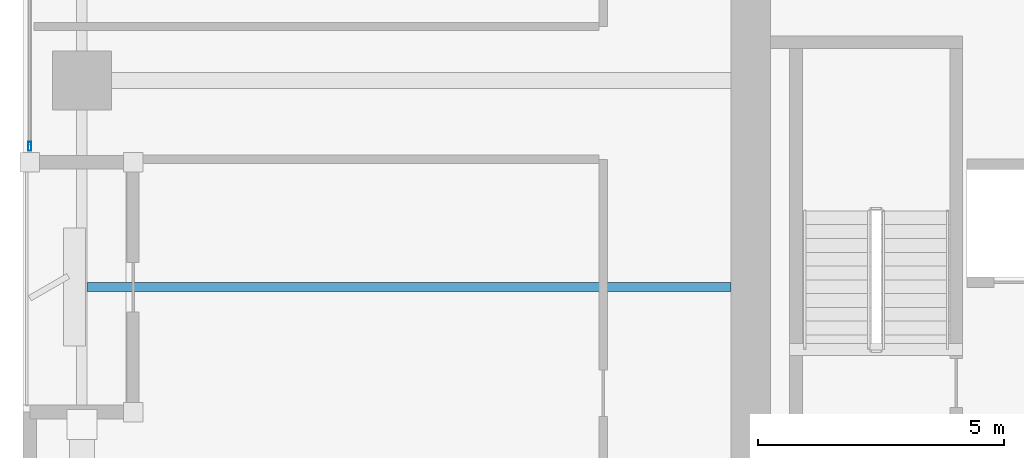
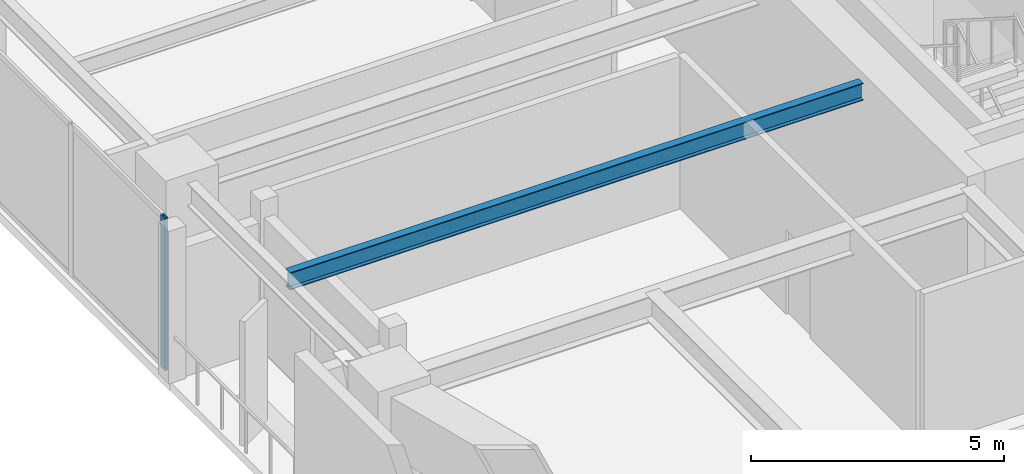
# One storey, part 2 of 30: 1 beam, 1 member, 1 element without a shape of its own.
"""IFC4 building model written with IfcOpenShell, lengths in metres."""

from ifc_helpers import new_model, si_unit, direction, frame, origin, origin_2d, place, context, subcontext, project, spatial, hollow_rectangle, i_section, extrude, material, layer, layer_set, material_profile, profile_set, type_object, element, aggregate, save


model = new_model("IFC4")

# Units and contexts
model_context = context("Model", 3, precision=1e-05, world=origin(), true_north=direction((0.0, 1.0)))
body_context = subcontext(model_context, "Body", "Model", "MODEL_VIEW")
ifc_project = project(units=[si_unit("LENGTHUNIT", "METRE"), si_unit("AREAUNIT", "SQUARE_METRE"), si_unit("VOLUMEUNIT", "CUBIC_METRE"), si_unit("PLANEANGLEUNIT", "RADIAN"), si_unit("MASSUNIT", "GRAM", prefix="KILO")], contexts=[model_context])

# Site, building, storey
site_placement = place(None, origin())
site = spatial("IfcSite", under=ifc_project, at=site_placement, CompositionType="ELEMENT")
building_placement = place(site_placement, origin())
building = spatial("IfcBuilding", under=site, at=building_placement, Name="Kiyonajd Concourse Tower", CompositionType="ELEMENT")
storey_placement = place(building_placement, frame((0.0, 0.0, 162.300048828125)))
storey = spatial("IfcBuildingStorey", under=building, at=storey_placement, Name="L41", CompositionType="ELEMENT", Elevation=162.300048828125)

# Beam
ifc_material_1 = material(Name="Steel ASTM A992 Grade 50", Category="steel")
ifc_material_profile_1 = material_profile(ifc_material_1, i_section(OverallWidth=0.180908203125, OverallDepth=0.4169921875, WebThickness=0.010986328125, FlangeThickness=0.018310546875, at=origin_2d()), Name="W410X85")
ifc_profile_set_1 = profile_set([ifc_material_profile_1], Name="Steel ASTM A992 Grade 50")
beam_type = type_object("IfcBeamType", Name="BM-JST-410", PredefinedType="JOIST", material=ifc_profile_set_1)
beam_placement = place(storey_placement, frame((19.306884765625, 31.800048828125, 3.471435546875), z_axis=(1.0, 0.0, 0.0), x_axis=(0.0, 1.0, 0.0)))
element("IfcBeam", 1, at=beam_placement, inside=storey, type_object=beam_type, Name="L41 West Secondary Floor Joist", PredefinedType="JOIST", context=body_context, shape_type="SweptSolid", body=[
    extrude(i_section(OverallWidth=0.180908203125, OverallDepth=0.4169921875, WebThickness=0.010986328125, FlangeThickness=0.018310546875, at=origin_2d()), origin(), (0.0, 0.0, 1.0), 13.093017578125),
])

# Curtain wall, member
ifc_material_2 = material(Name="Thermally Broken Anodised Aluminium", Category="aluminium")
ifc_layer = layer(ifc_material_2, 0.179931640625)
ifc_layer_set = layer_set([ifc_layer], Name="Thermally Broken Anodised Aluminium")
curtain_wall_type = type_object("IfcCurtainWallType", Name="CW-SYS-03", PredefinedType="NOTDEFINED", material=ifc_layer_set)
curtain_wall_placement = place(storey_placement, origin())
curtain_wall = element("IfcCurtainWall", 2, at=curtain_wall_placement, inside=storey, type_object=curtain_wall_type, Name="L41 Unitised Curtain Wall CW3", PredefinedType="NOTDEFINED")
ifc_material_profile_2 = material_profile(ifc_material_2, hollow_rectangle(XDim=0.06494140625, YDim=0.179931640625, WallThickness=0.00390625, at=origin_2d()), Name="MULL-65x180")
ifc_profile_set_2 = profile_set([ifc_material_profile_2], Name="Thermally Broken Anodised Aluminium")
member_type = type_object("IfcMemberType", Name="MB-CW-MULL1", PredefinedType="MULLION", material=ifc_profile_set_2)
member_placement = place(storey_placement, frame((18.139892578125, 34.66259765625, 0.0), z_axis=(0.0, 0.0, 1.0), x_axis=(-1.0, 0.0, 0.0)))
member = element("IfcMember", 3, at=member_placement, type_object=member_type, Name="CW3 mullion 1", PredefinedType="MULLION", context=body_context, shape_type="SweptSolid", body=[
    extrude(hollow_rectangle(XDim=0.06494140625, YDim=0.179931640625, WallThickness=0.00390625, at=origin_2d()), origin(), (0.0, 0.0, 1.0), 3.679931640625),
])
aggregate(curtain_wall, [member])

save(model, "model.ifc")
